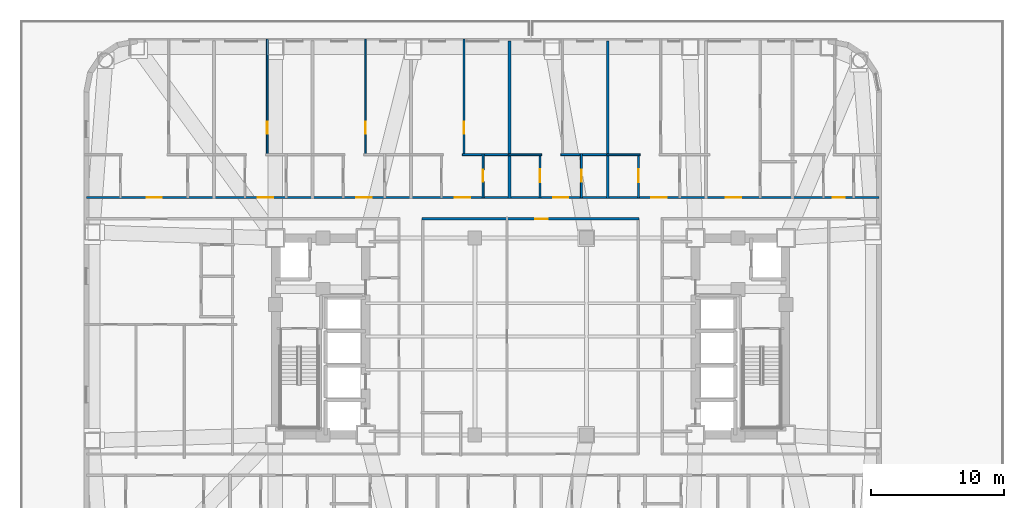
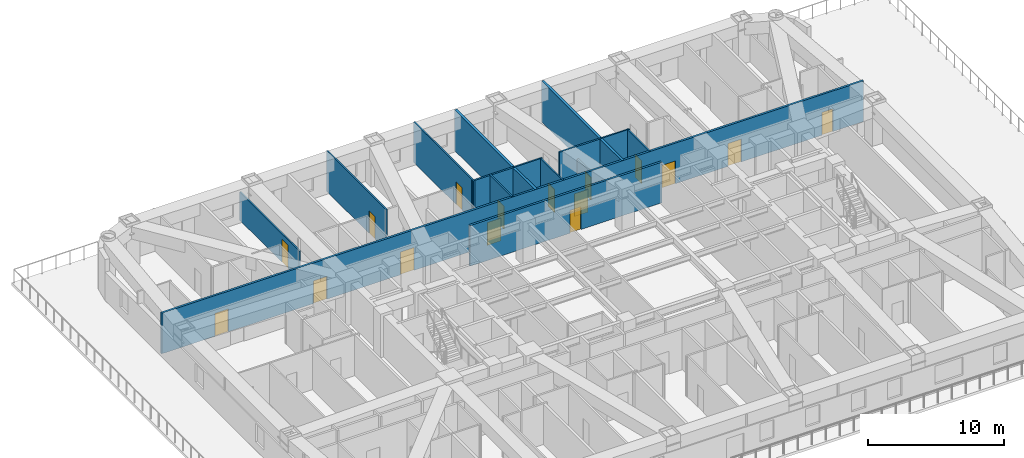
# One storey, part 8 of 15: 16 doors, 15 walls, 16 openings.
"""IFC4 building model written with IfcOpenShell, lengths in metres."""

from ifc_helpers import new_model, si_unit, direction, frame, frame_2d, origin, place, context, subcontext, project, spatial, rectangle, extrude, material, layer, layer_set, type_object, element, fill, save


model = new_model("IFC4")

# Units and contexts
model_context = context("Model", 3, precision=1e-05, world=origin(), true_north=direction((0.0, 1.0)))
body_context = subcontext(model_context, "Body", "Model", "MODEL_VIEW")
ifc_project = project(units=[si_unit("LENGTHUNIT", "METRE"), si_unit("AREAUNIT", "SQUARE_METRE"), si_unit("VOLUMEUNIT", "CUBIC_METRE"), si_unit("PLANEANGLEUNIT", "RADIAN"), si_unit("MASSUNIT", "GRAM", prefix="KILO")], contexts=[model_context])

# Site, building, storey
site_placement = place(None, origin())
site = spatial("IfcSite", under=ifc_project, at=site_placement, CompositionType="ELEMENT")
building_placement = place(site_placement, origin())
building = spatial("IfcBuilding", under=site, at=building_placement, Name="Voryun Gate Residences", CompositionType="ELEMENT")
storey_placement = place(building_placement, frame((0.0, 0.0, 26.0)))
storey = spatial("IfcBuildingStorey", under=building, at=storey_placement, Name="L05", CompositionType="ELEMENT", Elevation=26.0)

# Wall, opening, door
ifc_material_1 = material(Name="Gypsum acoustic fireboard")
ifc_layer_1 = layer(ifc_material_1, 0.179931640625, Name="W_CORR_RATED_180")
ifc_layer_set_1 = layer_set([ifc_layer_1], Name="Gypsum acoustic fireboard")
wall_type_1 = type_object("IfcWallType", Name="W_CORR_RATED_180", PredefinedType="PARTITIONING", material=ifc_layer_set_1)
wall_1_placement = place(storey_placement, frame((-8.14990234375, 8.840087890625, 0.0), z_axis=(0.0, 0.0, 1.0), x_axis=(1.0, 0.0, 0.0)))
wall_1 = element("IfcWall", 1, at=wall_1_placement, inside=storey, type_object=wall_type_1, Name="Partition wall WP-L05-Z1N", PredefinedType="PARTITIONING", context=body_context, shape_type="SweptSolid", body=[
    extrude(rectangle(XDim=16.2998046875, YDim=0.179931640625, at=frame_2d((8.14990234375, 0.0))), origin(), (0.0, 0.0, 1.0), 3.64990234375),
])
opening_1_placement = place(wall_1_placement, frame((8.489990234375, 0.0, 0.0)))
opening_1 = element("IfcOpeningElement", 2, at=opening_1_placement, cuts=wall_1, Name="Opening D-INT-1", PredefinedType="OPENING", context=body_context, shape_type="SweptSolid", body=[
    extrude(rectangle(XDim=0.949951171875, YDim=2.050048828125, at=frame_2d((0.47509765625, 1.02490234375))), frame((0.0, 0.099853515625, 0.0), z_axis=(0.0, -1.0, 0.0), x_axis=(1.0, 0.0, 0.0)), (0.0, 0.0, 1.0), 0.199951171875),
])
ifc_material_2 = material(Name="Architectural oak veneer")
door_type_1 = type_object("IfcDoorType", Name="DR_INT_ROOM_950", OperationType="NOTDEFINED", PredefinedType="DOOR", material=ifc_material_2)
door_1_placement = place(opening_1_placement, origin())
door_1 = element("IfcDoor", 3, at=door_1_placement, inside=storey, type_object=door_type_1, Name="Door DR-L05-CMIDZ1N", OperationType="SINGLE_SWING_LEFT", OverallHeight=2.050048828125, OverallWidth=0.949951171875, PredefinedType="DOOR", context=body_context, shape_type="SweptSolid", body=[
    extrude(rectangle(XDim=0.949951171875, YDim=2.050048828125, at=frame_2d((0.47509765625, 1.02490234375))), frame((0.0, 0.02490234375, 0.0), z_axis=(0.0, -1.0, 0.0), x_axis=(1.0, 0.0, 0.0)), (0.0, 0.0, 1.0), 0.050048828125),
])
fill(opening_1, door_1)

# Wall, openings, doors
wall_2_placement = place(storey_placement, frame((-33.409912109375, 10.449951171875, 0.0), z_axis=(0.0, 0.0, 1.0), x_axis=(1.0, 0.0, 0.0)))
wall_2 = element("IfcWall", 4, at=wall_2_placement, inside=storey, type_object=wall_type_1, Name="Partition wall WP-L05-NCORR", PredefinedType="PARTITIONING", context=body_context, shape_type="SweptSolid", body=[
    extrude(rectangle(XDim=59.619873046875, YDim=0.179931640625, at=frame_2d((29.81005859375, 0.0))), origin(), (0.0, 0.0, 1.0), 3.64990234375),
])
opening_2_placement = place(wall_2_placement, frame((4.528564453125, 0.0, 0.0)))
opening_2 = element("IfcOpeningElement", 5, at=opening_2_placement, cuts=wall_2, Name="Opening D-UNIT-1", PredefinedType="OPENING", context=body_context, shape_type="SweptSolid", body=[
    extrude(rectangle(XDim=1.14990234375, YDim=2.050048828125, at=frame_2d((0.574951171875, 1.02490234375))), frame((0.0, 0.099853515625, 0.0), z_axis=(0.0, -1.0, 0.0), x_axis=(1.0, 0.0, 0.0)), (0.0, 0.0, 1.0), 0.199951171875),
])
opening_3_placement = place(wall_2_placement, frame((12.899169921875, 0.0, 0.0)))
opening_3 = element("IfcOpeningElement", 6, at=opening_3_placement, cuts=wall_2, Name="Opening D-UNIT-1", PredefinedType="OPENING", context=body_context, shape_type="SweptSolid", body=[
    extrude(rectangle(XDim=1.14990234375, YDim=2.050048828125, at=frame_2d((0.574951171875, 1.02490234375))), frame((0.0, 0.099853515625, 0.0), z_axis=(0.0, -1.0, 0.0), x_axis=(1.0, 0.0, 0.0)), (0.0, 0.0, 1.0), 0.199951171875),
])
opening_4_placement = place(wall_2_placement, frame((20.298095703125, 0.0, 0.0)))
opening_4 = element("IfcOpeningElement", 7, at=opening_4_placement, cuts=wall_2, Name="Opening D-UNIT-1", PredefinedType="OPENING", context=body_context, shape_type="SweptSolid", body=[
    extrude(rectangle(XDim=1.14990234375, YDim=2.050048828125, at=frame_2d((0.574951171875, 1.02490234375))), frame((0.0, 0.099853515625, 0.0), z_axis=(0.0, -1.0, 0.0), x_axis=(1.0, 0.0, 0.0)), (0.0, 0.0, 1.0), 0.199951171875),
])
opening_5_placement = place(wall_2_placement, frame((27.702880859375, 0.0, 0.0)))
opening_5 = element("IfcOpeningElement", 8, at=opening_5_placement, cuts=wall_2, Name="Opening D-UNIT-1", PredefinedType="OPENING", context=body_context, shape_type="SweptSolid", body=[
    extrude(rectangle(XDim=1.14990234375, YDim=2.050048828125, at=frame_2d((0.574951171875, 1.02490234375))), frame((0.0, 0.099853515625, 0.0), z_axis=(0.0, -1.0, 0.0), x_axis=(1.0, 0.0, 0.0)), (0.0, 0.0, 1.0), 0.199951171875),
])
opening_6_placement = place(wall_2_placement, frame((35.1015625, 0.0, 0.0)))
opening_6 = element("IfcOpeningElement", 9, at=opening_6_placement, cuts=wall_2, Name="Opening D-UNIT-1", PredefinedType="OPENING", context=body_context, shape_type="SweptSolid", body=[
    extrude(rectangle(XDim=1.14990234375, YDim=2.050048828125, at=frame_2d((0.574951171875, 1.02490234375))), frame((0.0, 0.099853515625, 0.0), z_axis=(0.0, -1.0, 0.0), x_axis=(1.0, 0.0, 0.0)), (0.0, 0.0, 1.0), 0.199951171875),
])
opening_7_placement = place(wall_2_placement, frame((42.50048828125, 0.0, 0.0)))
opening_7 = element("IfcOpeningElement", 10, at=opening_7_placement, cuts=wall_2, Name="Opening D-UNIT-1", PredefinedType="OPENING", context=body_context, shape_type="SweptSolid", body=[
    extrude(rectangle(XDim=1.14990234375, YDim=2.050048828125, at=frame_2d((0.574951171875, 1.02490234375))), frame((0.0, 0.099853515625, 0.0), z_axis=(0.0, -1.0, 0.0), x_axis=(1.0, 0.0, 0.0)), (0.0, 0.0, 1.0), 0.199951171875),
])
opening_8_placement = place(wall_2_placement, frame((48.098876953125, 0.0, 0.0)))
opening_8 = element("IfcOpeningElement", 11, at=opening_8_placement, cuts=wall_2, Name="Opening D-UNIT-1", PredefinedType="OPENING", context=body_context, shape_type="SweptSolid", body=[
    extrude(rectangle(XDim=1.14990234375, YDim=2.050048828125, at=frame_2d((0.574951171875, 1.02490234375))), frame((0.0, 0.099853515625, 0.0), z_axis=(0.0, -1.0, 0.0), x_axis=(1.0, 0.0, 0.0)), (0.0, 0.0, 1.0), 0.199951171875),
])
opening_9_placement = place(wall_2_placement, frame((56.117431640625, 0.0, 0.0)))
opening_9 = element("IfcOpeningElement", 12, at=opening_9_placement, cuts=wall_2, Name="Opening D-INT-2", PredefinedType="OPENING", context=body_context, shape_type="SweptSolid", body=[
    extrude(rectangle(XDim=0.89990234375, YDim=2.050048828125, at=frame_2d((0.449951171875, 1.02490234375))), frame((0.0, 0.099853515625, 0.0), z_axis=(0.0, -1.0, 0.0), x_axis=(1.0, 0.0, 0.0)), (0.0, 0.0, 1.0), 0.199951171875),
])
ifc_material_3 = material(Name="Architectural oak veneer")
door_type_2 = type_object("IfcDoorType", Name="DR_INT_BATH_900", OperationType="NOTDEFINED", PredefinedType="DOOR", material=ifc_material_3)
door_2_placement = place(opening_9_placement, origin())
door_2 = element("IfcDoor", 13, at=door_2_placement, inside=storey, type_object=door_type_2, Name="Door DR-L05-NENT-8", OperationType="SINGLE_SWING_RIGHT", OverallHeight=2.050048828125, OverallWidth=0.89990234375, PredefinedType="DOOR", context=body_context, shape_type="SweptSolid", body=[
    extrude(rectangle(XDim=0.89990234375, YDim=2.050048828125, at=frame_2d((0.449951171875, 1.02490234375))), frame((0.0, 0.02490234375, 0.0), z_axis=(0.0, -1.0, 0.0), x_axis=(1.0, 0.0, 0.0)), (0.0, 0.0, 1.0), 0.050048828125),
])
fill(opening_9, door_2)
ifc_material_4 = material(Name="Armoured timber-clad fire door", Category="wood")
door_type_3 = type_object("IfcDoorType", Name="DR_UNIT_ENTRY_1150", OperationType="NOTDEFINED", PredefinedType="DOOR", material=ifc_material_4)
door_3_placement = place(opening_2_placement, origin())
door_3 = element("IfcDoor", 14, at=door_3_placement, inside=storey, type_object=door_type_3, Name="Door DR-L05-NENT-1", OperationType="SINGLE_SWING_LEFT", OverallHeight=2.050048828125, OverallWidth=1.14990234375, PredefinedType="DOOR", context=body_context, shape_type="SweptSolid", body=[
    extrude(rectangle(XDim=1.14990234375, YDim=2.050048828125, at=frame_2d((0.574951171875, 1.02490234375))), frame((0.0, 0.02490234375, 0.0), z_axis=(0.0, -1.0, 0.0), x_axis=(1.0, 0.0, 0.0)), (0.0, 0.0, 1.0), 0.050048828125),
])
fill(opening_2, door_3)
door_4_placement = place(opening_3_placement, origin())
door_4 = element("IfcDoor", 15, at=door_4_placement, inside=storey, type_object=door_type_3, Name="Door DR-L05-NENT-2", OperationType="SINGLE_SWING_RIGHT", OverallHeight=2.050048828125, OverallWidth=1.14990234375, PredefinedType="DOOR", context=body_context, shape_type="SweptSolid", body=[
    extrude(rectangle(XDim=1.14990234375, YDim=2.050048828125, at=frame_2d((0.574951171875, 1.02490234375))), frame((0.0, 0.02490234375, 0.0), z_axis=(0.0, -1.0, 0.0), x_axis=(1.0, 0.0, 0.0)), (0.0, 0.0, 1.0), 0.050048828125),
])
fill(opening_3, door_4)
door_5_placement = place(opening_4_placement, origin())
door_5 = element("IfcDoor", 16, at=door_5_placement, inside=storey, type_object=door_type_3, Name="Door DR-L05-NENT-3", OperationType="SINGLE_SWING_LEFT", OverallHeight=2.050048828125, OverallWidth=1.14990234375, PredefinedType="DOOR", context=body_context, shape_type="SweptSolid", body=[
    extrude(rectangle(XDim=1.14990234375, YDim=2.050048828125, at=frame_2d((0.574951171875, 1.02490234375))), frame((0.0, 0.02490234375, 0.0), z_axis=(0.0, -1.0, 0.0), x_axis=(1.0, 0.0, 0.0)), (0.0, 0.0, 1.0), 0.050048828125),
])
fill(opening_4, door_5)
door_6_placement = place(opening_5_placement, origin())
door_6 = element("IfcDoor", 17, at=door_6_placement, inside=storey, type_object=door_type_3, Name="Door DR-L05-NENT-4", OperationType="SINGLE_SWING_RIGHT", OverallHeight=2.050048828125, OverallWidth=1.14990234375, PredefinedType="DOOR", context=body_context, shape_type="SweptSolid", body=[
    extrude(rectangle(XDim=1.14990234375, YDim=2.050048828125, at=frame_2d((0.574951171875, 1.02490234375))), frame((0.0, 0.02490234375, 0.0), z_axis=(0.0, -1.0, 0.0), x_axis=(1.0, 0.0, 0.0)), (0.0, 0.0, 1.0), 0.050048828125),
])
fill(opening_5, door_6)
door_7_placement = place(opening_6_placement, origin())
door_7 = element("IfcDoor", 18, at=door_7_placement, inside=storey, type_object=door_type_3, Name="Door DR-L05-NENT-5", OperationType="SINGLE_SWING_LEFT", OverallHeight=2.050048828125, OverallWidth=1.14990234375, PredefinedType="DOOR", context=body_context, shape_type="SweptSolid", body=[
    extrude(rectangle(XDim=1.14990234375, YDim=2.050048828125, at=frame_2d((0.574951171875, 1.02490234375))), frame((0.0, 0.02490234375, 0.0), z_axis=(0.0, -1.0, 0.0), x_axis=(1.0, 0.0, 0.0)), (0.0, 0.0, 1.0), 0.050048828125),
])
fill(opening_6, door_7)
door_8_placement = place(opening_7_placement, origin())
door_8 = element("IfcDoor", 19, at=door_8_placement, inside=storey, type_object=door_type_3, Name="Door DR-L05-NENT-6", OperationType="SINGLE_SWING_RIGHT", OverallHeight=2.050048828125, OverallWidth=1.14990234375, PredefinedType="DOOR", context=body_context, shape_type="SweptSolid", body=[
    extrude(rectangle(XDim=1.14990234375, YDim=2.050048828125, at=frame_2d((0.574951171875, 1.02490234375))), frame((0.0, 0.02490234375, 0.0), z_axis=(0.0, -1.0, 0.0), x_axis=(1.0, 0.0, 0.0)), (0.0, 0.0, 1.0), 0.050048828125),
])
fill(opening_7, door_8)
door_9_placement = place(opening_8_placement, origin())
door_9 = element("IfcDoor", 20, at=door_9_placement, inside=storey, type_object=door_type_3, Name="Door DR-L05-NENT-7", OperationType="SINGLE_SWING_LEFT", OverallHeight=2.050048828125, OverallWidth=1.14990234375, PredefinedType="DOOR", context=body_context, shape_type="SweptSolid", body=[
    extrude(rectangle(XDim=1.14990234375, YDim=2.050048828125, at=frame_2d((0.574951171875, 1.02490234375))), frame((0.0, 0.02490234375, 0.0), z_axis=(0.0, -1.0, 0.0), x_axis=(1.0, 0.0, 0.0)), (0.0, 0.0, 1.0), 0.050048828125),
])
fill(opening_8, door_9)

# Walls
ifc_material_5 = material(Name="Concrete C40/50", Category="concrete")
ifc_layer_2 = layer(ifc_material_5, 0.219970703125, Name="W_PARTY_ACOUSTIC_220")
ifc_layer_set_2 = layer_set([ifc_layer_2], Name="Concrete C40/50")
wall_type_2 = type_object("IfcWallType", Name="W_PARTY_ACOUSTIC_220", PredefinedType="PARTITIONING", material=ifc_layer_set_2)
for number, where, z_axis, x_axis, name in (
    (21, (-1.60009765625, 10.3701171875, 0.0), (0.0, 0.0, 1.0), (0.0, 1.0, 0.0), "Partition wall WP-L05-NPTY-4"),
    (22, (5.800048828125, 10.3701171875, 0.0), (0.0, 0.0, 1.0), (0.0, 1.0, 0.0), "Partition wall WP-L05-NPTY-5"),
):
    element("IfcWall", number, at=place(storey_placement, frame(where, z_axis=z_axis, x_axis=x_axis)), inside=storey, type_object=wall_type_2, Name=name, PredefinedType="PARTITIONING", context=body_context, shape_type="SweptSolid", body=[
        extrude(rectangle(XDim=11.83984375, YDim=0.219970703125, at=frame_2d((5.919921875, 0.0))), origin(), (0.0, 0.0, 1.0), 3.64990234375),
    ])

# Wall, opening, door
ifc_material_6 = material(Name="Gypsum acoustic partition")
ifc_layer_3 = layer(ifc_material_6, 0.125, Name="W_UNIT_PART_125")
ifc_layer_set_3 = layer_set([ifc_layer_3], Name="Gypsum acoustic partition")
wall_type_3 = type_object("IfcWallType", Name="W_UNIT_PART_125", PredefinedType="PARTITIONING", material=ifc_layer_set_3)
wall_3_placement = place(storey_placement, frame((-19.81005859375, 13.590087890625, 0.0), z_axis=(0.0, 0.0, 1.0), x_axis=(0.0, 1.0, 0.0)))
wall_3 = element("IfcWall", 23, at=wall_3_placement, inside=storey, type_object=wall_type_3, Name="Partition wall WP-L05-N2-OVR", PredefinedType="PARTITIONING", context=body_context, shape_type="SweptSolid", body=[
    extrude(rectangle(XDim=8.77001953125, YDim=0.125, at=frame_2d((4.385009765625, 0.0))), origin(), (0.0, 0.0, 1.0), 2.5400390625),
])
opening_10_placement = place(wall_3_placement, frame((1.65478515625, 0.0, 0.0)))
opening_10 = element("IfcOpeningElement", 24, at=opening_10_placement, cuts=wall_3, Name="Opening D-INT-2", PredefinedType="OPENING", context=body_context, shape_type="SweptSolid", body=[
    extrude(rectangle(XDim=0.89990234375, YDim=2.050048828125, at=frame_2d((0.449951171875, 1.02490234375))), frame((0.0, 0.072509765625, 0.0), z_axis=(0.0, -1.0, 0.0), x_axis=(1.0, 0.0, 0.0)), (0.0, 0.0, 1.0), 0.14501953125),
])
door_10_placement = place(opening_10_placement, origin())
door_10 = element("IfcDoor", 25, at=door_10_placement, inside=storey, type_object=door_type_2, Name="Door DR-L05-N2-DMB", OperationType="SINGLE_SWING_RIGHT", OverallHeight=2.050048828125, OverallWidth=0.89990234375, PredefinedType="DOOR", context=body_context, shape_type="SweptSolid", body=[
    extrude(rectangle(XDim=0.89990234375, YDim=2.050048828125, at=frame_2d((0.449951171875, 1.02490234375))), frame((0.0, 0.02490234375, 0.0), z_axis=(0.0, -1.0, 0.0), x_axis=(1.0, 0.0, 0.0)), (0.0, 0.0, 1.0), 0.050048828125),
])
fill(opening_10, door_10)

wall_4_placement = place(storey_placement, frame((-12.409912109375, 13.590087890625, 0.0), z_axis=(0.0, 0.0, 1.0), x_axis=(0.0, 1.0, 0.0)))
wall_4 = element("IfcWall", 26, at=wall_4_placement, inside=storey, type_object=wall_type_3, Name="Partition wall WP-L05-N3-OVR", PredefinedType="PARTITIONING", context=body_context, shape_type="SweptSolid", body=[
    extrude(rectangle(XDim=8.77001953125, YDim=0.125, at=frame_2d((4.385009765625, 0.0))), origin(), (0.0, 0.0, 1.0), 3.64990234375),
])
opening_11_placement = place(wall_4_placement, frame((1.65478515625, 0.0, 0.0)))
opening_11 = element("IfcOpeningElement", 27, at=opening_11_placement, cuts=wall_4, Name="Opening D-INT-2", PredefinedType="OPENING", context=body_context, shape_type="SweptSolid", body=[
    extrude(rectangle(XDim=0.89990234375, YDim=2.050048828125, at=frame_2d((0.449951171875, 1.02490234375))), frame((0.0, 0.072509765625, 0.0), z_axis=(0.0, -1.0, 0.0), x_axis=(1.0, 0.0, 0.0)), (0.0, 0.0, 1.0), 0.14501953125),
])
door_11_placement = place(opening_11_placement, origin())
door_11 = element("IfcDoor", 28, at=door_11_placement, inside=storey, type_object=door_type_2, Name="Door DR-L05-N3-DMB", OperationType="SINGLE_SWING_RIGHT", OverallHeight=2.050048828125, OverallWidth=0.89990234375, PredefinedType="DOOR", context=body_context, shape_type="SweptSolid", body=[
    extrude(rectangle(XDim=0.89990234375, YDim=2.050048828125, at=frame_2d((0.449951171875, 1.02490234375))), frame((0.0, 0.02490234375, 0.0), z_axis=(0.0, -1.0, 0.0), x_axis=(1.0, 0.0, 0.0)), (0.0, 0.0, 1.0), 0.050048828125),
])
fill(opening_11, door_11)

wall_5_placement = place(storey_placement, frame((-5.010009765625, 13.590087890625, 0.0), z_axis=(0.0, 0.0, 1.0), x_axis=(0.0, 1.0, 0.0)))
wall_5 = element("IfcWall", 29, at=wall_5_placement, inside=storey, type_object=wall_type_3, Name="Partition wall WP-L05-N4-OVR", PredefinedType="PARTITIONING", context=body_context, shape_type="SweptSolid", body=[
    extrude(rectangle(XDim=8.77001953125, YDim=0.125, at=frame_2d((4.385009765625, 0.0))), origin(), (0.0, 0.0, 1.0), 3.64990234375),
])
opening_12_placement = place(wall_5_placement, frame((1.65478515625, 0.0, 0.0)))
opening_12 = element("IfcOpeningElement", 30, at=opening_12_placement, cuts=wall_5, Name="Opening D-INT-2", PredefinedType="OPENING", context=body_context, shape_type="SweptSolid", body=[
    extrude(rectangle(XDim=0.89990234375, YDim=2.050048828125, at=frame_2d((0.449951171875, 1.02490234375))), frame((0.0, 0.072509765625, 0.0), z_axis=(0.0, -1.0, 0.0), x_axis=(1.0, 0.0, 0.0)), (0.0, 0.0, 1.0), 0.14501953125),
])
door_12_placement = place(opening_12_placement, origin())
door_12 = element("IfcDoor", 31, at=door_12_placement, inside=storey, type_object=door_type_2, Name="Door DR-L05-N4-DMB", OperationType="SINGLE_SWING_RIGHT", OverallHeight=2.050048828125, OverallWidth=0.89990234375, PredefinedType="DOOR", context=body_context, shape_type="SweptSolid", body=[
    extrude(rectangle(XDim=0.89990234375, YDim=2.050048828125, at=frame_2d((0.449951171875, 1.02490234375))), frame((0.0, 0.02490234375, 0.0), z_axis=(0.0, -1.0, 0.0), x_axis=(1.0, 0.0, 0.0)), (0.0, 0.0, 1.0), 0.050048828125),
])
fill(opening_12, door_12)

wall_6_placement = place(storey_placement, frame((0.7099609375, 10.429931640625, 0.0), z_axis=(0.0, 0.0, 1.0), x_axis=(0.0, 1.0, 0.0)))
wall_6 = element("IfcWall", 32, at=wall_6_placement, inside=storey, type_object=wall_type_3, Name="Partition wall WP-L05-N5-IVK", PredefinedType="PARTITIONING", context=body_context, shape_type="SweptSolid", body=[
    extrude(rectangle(XDim=3.320068359375, YDim=0.125, at=frame_2d((1.66015625, 0.0))), origin(), (0.0, 0.0, 1.0), 3.64990234375),
])
opening_13_placement = place(wall_6_placement, frame((1.18505859375, 0.0, 0.0)))
opening_13 = element("IfcOpeningElement", 33, at=opening_13_placement, cuts=wall_6, Name="Opening D-INT-1", PredefinedType="OPENING", context=body_context, shape_type="SweptSolid", body=[
    extrude(rectangle(XDim=0.949951171875, YDim=2.050048828125, at=frame_2d((0.47509765625, 1.02490234375))), frame((0.0, 0.072509765625, 0.0), z_axis=(0.0, -1.0, 0.0), x_axis=(1.0, 0.0, 0.0)), (0.0, 0.0, 1.0), 0.14501953125),
])
door_13_placement = place(opening_13_placement, origin())
door_13 = element("IfcDoor", 34, at=door_13_placement, inside=storey, type_object=door_type_1, Name="Door DR-L05-N5-DK", OperationType="SINGLE_SWING_LEFT", OverallHeight=2.050048828125, OverallWidth=0.949951171875, PredefinedType="DOOR", context=body_context, shape_type="SweptSolid", body=[
    extrude(rectangle(XDim=0.949951171875, YDim=2.050048828125, at=frame_2d((0.47509765625, 1.02490234375))), frame((0.0, 0.02490234375, 0.0), z_axis=(0.0, -1.0, 0.0), x_axis=(1.0, 0.0, 0.0)), (0.0, 0.0, 1.0), 0.050048828125),
])
fill(opening_13, door_13)

# Wall
wall_7_placement = place(storey_placement, frame((-1.675048828125, 13.669921875, 0.0), z_axis=(0.0, 0.0, 1.0), x_axis=(1.0, 0.0, 0.0)))
element("IfcWall", 35, at=wall_7_placement, inside=storey, type_object=wall_type_3, Name="Partition wall WP-L05-N5-HZK", PredefinedType="PARTITIONING", context=body_context, shape_type="SweptSolid", body=[
    extrude(rectangle(XDim=2.505126953125, YDim=0.125, at=frame_2d((1.25244140625, 0.0))), origin(), (0.0, 0.0, 1.0), 3.64990234375),
])

# Wall, opening, door
wall_8_placement = place(storey_placement, frame((8.110107421875, 10.429931640625, 0.0), z_axis=(0.0, 0.0, 1.0), x_axis=(0.0, 1.0, 0.0)))
wall_8 = element("IfcWall", 36, at=wall_8_placement, inside=storey, type_object=wall_type_3, Name="Partition wall WP-L05-N6-IVK", PredefinedType="PARTITIONING", context=body_context, shape_type="SweptSolid", body=[
    extrude(rectangle(XDim=3.320068359375, YDim=0.125, at=frame_2d((1.66015625, 0.0))), origin(), (0.0, 0.0, 1.0), 3.64990234375),
])
opening_14_placement = place(wall_8_placement, frame((1.18505859375, 0.0, 0.0)))
opening_14 = element("IfcOpeningElement", 37, at=opening_14_placement, cuts=wall_8, Name="Opening D-INT-1", PredefinedType="OPENING", context=body_context, shape_type="SweptSolid", body=[
    extrude(rectangle(XDim=0.949951171875, YDim=2.050048828125, at=frame_2d((0.47509765625, 1.02490234375))), frame((0.0, 0.072509765625, 0.0), z_axis=(0.0, -1.0, 0.0), x_axis=(1.0, 0.0, 0.0)), (0.0, 0.0, 1.0), 0.14501953125),
])
door_14_placement = place(opening_14_placement, origin())
door_14 = element("IfcDoor", 38, at=door_14_placement, inside=storey, type_object=door_type_1, Name="Door DR-L05-N6-DK", OperationType="SINGLE_SWING_LEFT", OverallHeight=2.050048828125, OverallWidth=0.949951171875, PredefinedType="DOOR", context=body_context, shape_type="SweptSolid", body=[
    extrude(rectangle(XDim=0.949951171875, YDim=2.050048828125, at=frame_2d((0.47509765625, 1.02490234375))), frame((0.0, 0.02490234375, 0.0), z_axis=(0.0, -1.0, 0.0), x_axis=(1.0, 0.0, 0.0)), (0.0, 0.0, 1.0), 0.050048828125),
])
fill(opening_14, door_14)

# Walls
wall_9_placement = place(storey_placement, frame((5.72509765625, 13.669921875, 0.0), z_axis=(0.0, 0.0, 1.0), x_axis=(1.0, 0.0, 0.0)))
element("IfcWall", 39, at=wall_9_placement, inside=storey, type_object=wall_type_3, Name="Partition wall WP-L05-N6-HZK", PredefinedType="PARTITIONING", context=body_context, shape_type="SweptSolid", body=[
    extrude(rectangle(XDim=2.5048828125, YDim=0.125, at=frame_2d((1.25244140625, 0.0))), origin(), (0.0, 0.0, 1.0), 3.64990234375),
])
ifc_material_7 = material(Name="Gypsum moisture-resistant partition")
ifc_layer_4 = layer(ifc_material_7, 0.14990234375, Name="W_WET_PLUMB_150")
ifc_layer_set_4 = layer_set([ifc_layer_4], Name="Gypsum moisture-resistant partition")
wall_type_4 = type_object("IfcWallType", Name="W_WET_PLUMB_150", PredefinedType="PLUMBINGWALL", material=ifc_layer_set_4)
wall_10_placement = place(storey_placement, frame((-5.1298828125, 13.669921875, 0.0), z_axis=(0.0, 0.0, 1.0), x_axis=(1.0, 0.0, 0.0)))
element("IfcWall", 40, at=wall_10_placement, inside=storey, type_object=wall_type_4, Name="Partition wall WP-L05-N4-HZB", PredefinedType="PLUMBINGWALL", context=body_context, shape_type="SweptSolid", body=[
    extrude(rectangle(XDim=3.60498046875, YDim=0.14990234375, at=frame_2d((1.802490234375, 0.0))), origin(), (0.0, 0.0, 1.0), 3.64990234375),
])

# Wall, opening, door
wall_11_placement = place(storey_placement, frame((-3.580078125, 10.429931640625, 0.0), z_axis=(0.0, 0.0, 1.0), x_axis=(0.0, 1.0, 0.0)))
wall_11 = element("IfcWall", 41, at=wall_11_placement, inside=storey, type_object=wall_type_4, Name="Partition wall WP-L05-N4-IVB", PredefinedType="PLUMBINGWALL", context=body_context, shape_type="SweptSolid", body=[
    extrude(rectangle(XDim=3.320068359375, YDim=0.14990234375, at=frame_2d((1.66015625, 0.0))), origin(), (0.0, 0.0, 1.0), 3.64990234375),
])
opening_15_placement = place(wall_11_placement, frame((1.2099609375, 0.0, 0.0)))
opening_15 = element("IfcOpeningElement", 42, at=opening_15_placement, cuts=wall_11, Name="Opening D-INT-2", PredefinedType="OPENING", context=body_context, shape_type="SweptSolid", body=[
    extrude(rectangle(XDim=0.89990234375, YDim=2.050048828125, at=frame_2d((0.449951171875, 1.02490234375))), frame((0.0, 0.0849609375, 0.0), z_axis=(0.0, -1.0, 0.0), x_axis=(1.0, 0.0, 0.0)), (0.0, 0.0, 1.0), 0.169921875),
])
door_15_placement = place(opening_15_placement, origin())
door_15 = element("IfcDoor", 43, at=door_15_placement, inside=storey, type_object=door_type_2, Name="Door DR-L05-N4-DB", OperationType="SINGLE_SWING_RIGHT", OverallHeight=2.050048828125, OverallWidth=0.89990234375, PredefinedType="DOOR", context=body_context, shape_type="SweptSolid", body=[
    extrude(rectangle(XDim=0.89990234375, YDim=2.050048828125, at=frame_2d((0.449951171875, 1.02490234375))), frame((0.0, 0.02490234375, 0.0), z_axis=(0.0, -1.0, 0.0), x_axis=(1.0, 0.0, 0.0)), (0.0, 0.0, 1.0), 0.050048828125),
])
fill(opening_15, door_15)

# Wall
wall_12_placement = place(storey_placement, frame((2.27001953125, 13.669921875, 0.0), z_axis=(0.0, 0.0, 1.0), x_axis=(1.0, 0.0, 0.0)))
element("IfcWall", 44, at=wall_12_placement, inside=storey, type_object=wall_type_4, Name="Partition wall WP-L05-N5-HZB", PredefinedType="PLUMBINGWALL", context=body_context, shape_type="SweptSolid", body=[
    extrude(rectangle(XDim=3.60498046875, YDim=0.14990234375, at=frame_2d((1.802490234375, 0.0))), origin(), (0.0, 0.0, 1.0), 3.64990234375),
])

# Wall, opening, door
wall_13_placement = place(storey_placement, frame((3.820068359375, 10.429931640625, 0.0), z_axis=(0.0, 0.0, 1.0), x_axis=(0.0, 1.0, 0.0)))
wall_13 = element("IfcWall", 45, at=wall_13_placement, inside=storey, type_object=wall_type_4, Name="Partition wall WP-L05-N5-IVB", PredefinedType="PLUMBINGWALL", context=body_context, shape_type="SweptSolid", body=[
    extrude(rectangle(XDim=3.320068359375, YDim=0.14990234375, at=frame_2d((1.66015625, 0.0))), origin(), (0.0, 0.0, 1.0), 2.5400390625),
])
opening_16_placement = place(wall_13_placement, frame((1.2099609375, 0.0, 0.0)))
opening_16 = element("IfcOpeningElement", 46, at=opening_16_placement, cuts=wall_13, Name="Opening D-INT-2", PredefinedType="OPENING", context=body_context, shape_type="SweptSolid", body=[
    extrude(rectangle(XDim=0.89990234375, YDim=2.050048828125, at=frame_2d((0.449951171875, 1.02490234375))), frame((0.0, 0.0849609375, 0.0), z_axis=(0.0, -1.0, 0.0), x_axis=(1.0, 0.0, 0.0)), (0.0, 0.0, 1.0), 0.169921875),
])
door_16_placement = place(opening_16_placement, origin())
door_16 = element("IfcDoor", 47, at=door_16_placement, inside=storey, type_object=door_type_2, Name="Door DR-L05-N5-DB", OperationType="SINGLE_SWING_RIGHT", OverallHeight=2.050048828125, OverallWidth=0.89990234375, PredefinedType="DOOR", context=body_context, shape_type="SweptSolid", body=[
    extrude(rectangle(XDim=0.89990234375, YDim=2.050048828125, at=frame_2d((0.449951171875, 1.02490234375))), frame((0.0, 0.02490234375, 0.0), z_axis=(0.0, -1.0, 0.0), x_axis=(1.0, 0.0, 0.0)), (0.0, 0.0, 1.0), 0.050048828125),
])
fill(opening_16, door_16)

save(model, "model.ifc")
